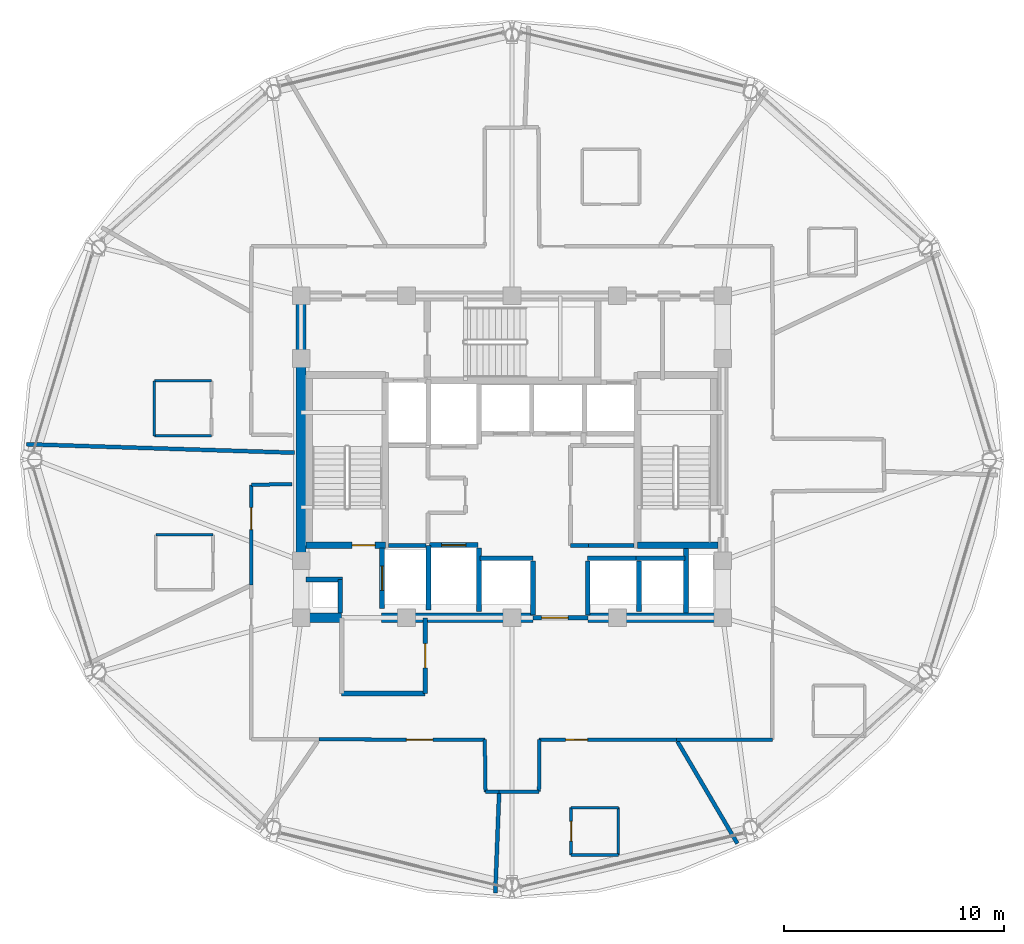
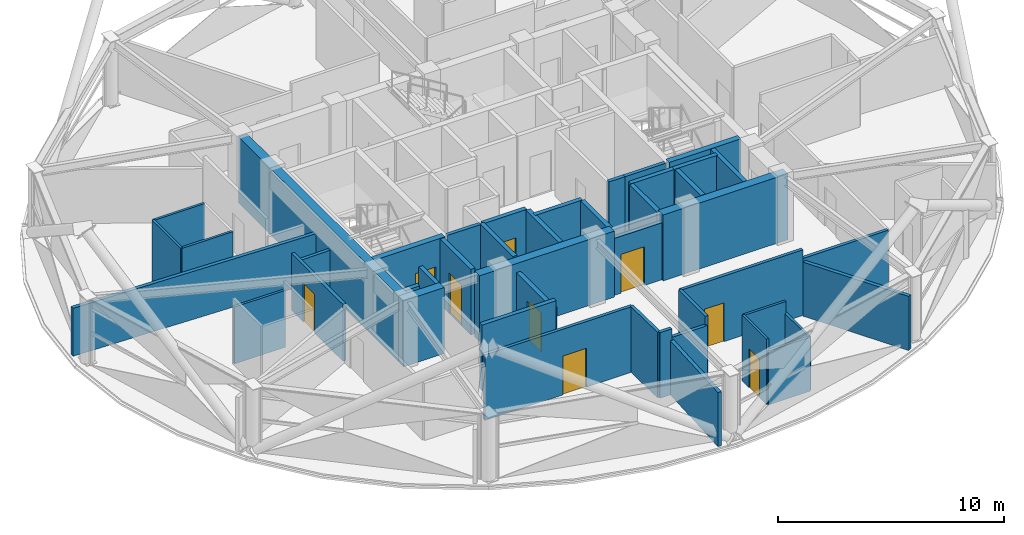
# One storey, part 22 of 29: 45 walls, 9 doors, 9 openings.
"""IFC4 building model written with IfcOpenShell, lengths in metres."""

from ifc_helpers import new_model, si_unit, direction, frame, frame_2d, origin, place, context, subcontext, project, spatial, rectangle, extrude, material, layer, layer_set, type_object, element, fill, save


model = new_model("IFC4")

# Units and contexts
model_context = context("Model", 3, precision=1e-05, world=origin(), true_north=direction((0.0, 1.0)))
body_context = subcontext(model_context, "Body", "Model", "MODEL_VIEW")
ifc_project = project(units=[si_unit("LENGTHUNIT", "METRE"), si_unit("AREAUNIT", "SQUARE_METRE"), si_unit("VOLUMEUNIT", "CUBIC_METRE"), si_unit("PLANEANGLEUNIT", "RADIAN"), si_unit("MASSUNIT", "GRAM", prefix="KILO")], contexts=[model_context])

# Site, building, storey
site_placement = place(None, origin())
site = spatial("IfcSite", under=ifc_project, at=site_placement, CompositionType="ELEMENT")
building_placement = place(site_placement, origin())
building = spatial("IfcBuilding", under=site, at=building_placement, Name="Vantalir Tower", CompositionType="ELEMENT")
storey_placement = place(building_placement, frame((0.0, 0.0, 234.89990234375)))
storey = spatial("IfcBuildingStorey", under=building, at=storey_placement, Name="L59", CompositionType="ELEMENT", Elevation=234.89990234375)

# Walls
ifc_material_1 = material(Name="Moisture-resistant en-suite partition", Category="gypsum")
ifc_layer_1 = layer(ifc_material_1, 0.125)
ifc_layer_set_1 = layer_set([ifc_layer_1], Name="Moisture-resistant en-suite partition")
wall_type_1 = type_object("IfcWallType", Name="WL-BATH-125", PredefinedType="PARTITIONING", material=ifc_layer_set_1)
for number, where, z_axis, x_axis, name in (
    (1, (15.218017578125, 26.0830078125, 0.0), (0.0, 0.0, 1.0), (1.0, 0.0, 0.0), "L59 En-suite 05 South Wall"),
    (2, (15.218017578125, 28.5830078125, 0.0), (0.0, 0.0, 1.0), (1.0, 0.0, 0.0), "L59 En-suite 05 North Wall"),
):
    element("IfcWall", number, at=place(storey_placement, frame(where, z_axis=z_axis, x_axis=x_axis)), inside=storey, type_object=wall_type_1, Name=name, PredefinedType="PARTITIONING", context=body_context, shape_type="SweptSolid", body=[
        extrude(rectangle(XDim=2.60009765625, YDim=0.125, at=frame_2d((1.300048828125, 0.0))), origin(), (0.0, 0.0, 1.0), 3.550048828125),
    ])
wall_1_placement = place(storey_placement, frame((15.218017578125, 26.0830078125, 0.0), z_axis=(0.0, 0.0, 1.0), x_axis=(0.0, 1.0, 0.0)))
element("IfcWall", 3, at=wall_1_placement, inside=storey, type_object=wall_type_1, Name="L59 En-suite 05 West Wall", PredefinedType="PARTITIONING", context=body_context, shape_type="SweptSolid", body=[
    extrude(rectangle(XDim=2.5, YDim=0.125, at=frame_2d((1.25, 0.0))), origin(), (0.0, 0.0, 1.0), 3.550048828125),
])
wall_2_placement = place(storey_placement, frame((15.2900390625, 21.577880859375, 0.0), z_axis=(0.0, 0.0, 1.0), x_axis=(1.0, 0.0, 0.0)))
element("IfcWall", 4, at=wall_2_placement, inside=storey, type_object=wall_type_1, Name="L59 En-suite 06 North Wall", PredefinedType="PARTITIONING", context=body_context, shape_type="SweptSolid", body=[
    extrude(rectangle(XDim=2.599853515625, YDim=0.125, at=frame_2d((1.2998046875, 0.0))), origin(), (0.0, 0.0, 1.0), 3.0810546875),
])
wall_3_placement = place(storey_placement, frame((34.18896484375, 7.008056640625, 0.0), z_axis=(0.0, 0.0, 1.0), x_axis=(1.0, 0.0, 0.0)))
element("IfcWall", 5, at=wall_3_placement, inside=storey, type_object=wall_type_1, Name="L59 En-suite 09 South Wall", PredefinedType="PARTITIONING", context=body_context, shape_type="SweptSolid", body=[
    extrude(rectangle(XDim=2.150146484375, YDim=0.125, at=frame_2d((1.0751953125, 0.0))), origin(), (0.0, 0.0, 1.0), 2.925048828125),
])
wall_4_placement = place(storey_placement, frame((34.18896484375, 9.157958984375, 0.0), z_axis=(0.0, 0.0, 1.0), x_axis=(1.0, 0.0, 0.0)))
element("IfcWall", 6, at=wall_4_placement, inside=storey, type_object=wall_type_1, Name="L59 En-suite 09 North Wall", PredefinedType="PARTITIONING", context=body_context, shape_type="SweptSolid", body=[
    extrude(rectangle(XDim=2.150146484375, YDim=0.125, at=frame_2d((1.0751953125, 0.0))), origin(), (0.0, 0.0, 1.0), 3.550048828125),
])

# Wall, opening, door
wall_5_placement = place(storey_placement, frame((34.18896484375, 7.008056640625, 0.0), z_axis=(0.0, 0.0, 1.0), x_axis=(0.0, 1.0, 0.0)))
wall_5 = element("IfcWall", 7, at=wall_5_placement, inside=storey, type_object=wall_type_1, Name="L59 En-suite 09 West Wall", PredefinedType="PARTITIONING", context=body_context, shape_type="SweptSolid", body=[
    extrude(rectangle(XDim=2.14990234375, YDim=0.125, at=frame_2d((1.074951171875, 0.0))), origin(), (0.0, 0.0, 1.0), 3.550048828125),
])
opening_1_placement = place(wall_5_placement, frame((0.625, 0.0, 0.0)))
opening_1 = element("IfcOpeningElement", 8, at=opening_1_placement, cuts=wall_5, Name="Opening D-WC", PredefinedType="OPENING", context=body_context, shape_type="SweptSolid", body=[
    extrude(rectangle(XDim=0.89990234375, YDim=2.10009765625, at=frame_2d((0.449951171875, 1.050048828125))), frame((0.0, 0.072509765625, 0.0), z_axis=(0.0, -1.0, 0.0), x_axis=(1.0, 0.0, 0.0)), (0.0, 0.0, 1.0), 0.14501953125),
])
ifc_material_2 = material(Name="Moisture-resistant hardwood door", Category="wood")
door_type_1 = type_object("IfcDoorType", Name="DR-ENSUITE-900", OperationType="NOTDEFINED", PredefinedType="DOOR", material=ifc_material_2)
door_1_placement = place(opening_1_placement, frame((0.89990234375, 0.0, 0.0), z_axis=(0.0, 0.0, 1.0), x_axis=(-1.0, 0.0, 0.0)))
door_1 = element("IfcDoor", 9, at=door_1_placement, inside=storey, type_object=door_type_1, Name="L59 En-suite 09 Door", OperationType="SINGLE_SWING_LEFT", OverallHeight=2.10009765625, OverallWidth=0.89990234375, PredefinedType="DOOR", context=body_context, shape_type="SweptSolid", body=[
    extrude(rectangle(XDim=0.89990234375, YDim=2.10009765625, at=frame_2d((0.449951171875, 1.050048828125))), frame((0.0, 0.02490234375, 0.0), z_axis=(0.0, -1.0, 0.0), x_axis=(1.0, 0.0, 0.0)), (0.0, 0.0, 1.0), 0.050048828125),
])
fill(opening_1, door_1)

# Walls
wall_6_placement = place(storey_placement, frame((36.339111328125, 7.008056640625, 0.0), z_axis=(0.0, 0.0, 1.0), x_axis=(0.0, 1.0, 0.0)))
element("IfcWall", 10, at=wall_6_placement, inside=storey, type_object=wall_type_1, Name="L59 En-suite 09 East Wall", PredefinedType="PARTITIONING", context=body_context, shape_type="SweptSolid", body=[
    extrude(rectangle(XDim=2.14990234375, YDim=0.125, at=frame_2d((1.074951171875, 0.0))), origin(), (0.0, 0.0, 1.0), 2.925048828125),
])
ifc_material_3 = material(Name="Concrete C50/60", Category="concrete")
ifc_layer_2 = layer(ifc_material_3, 0.449951171875)
ifc_layer_set_2 = layer_set([ifc_layer_2], Name="Concrete C50/60")
wall_type_2 = type_object("IfcWallType", Name="WL-CORE-450", PredefinedType="SHEAR", material=ifc_layer_set_2)
wall_7_placement = place(storey_placement, frame((21.675048828125, 17.800048828125, 0.0), z_axis=(0.0, 0.0, 1.0), x_axis=(1.0, 0.0, 0.0)))
element("IfcWall", 11, at=wall_7_placement, inside=storey, type_object=wall_type_2, Name="L59 Core Shear Wall South-West", PredefinedType="SHEAR", context=body_context, shape_type="SweptSolid", body=[
    extrude(rectangle(XDim=2.074951171875, YDim=0.449951171875, at=frame_2d((1.03759765625, 0.0))), origin(), (0.0, 0.0, 1.0), 3.570068359375),
])
wall_8_placement = place(storey_placement, frame((25.550048828125, 17.800048828125, 0.0), z_axis=(0.0, 0.0, 1.0), x_axis=(1.0, 0.0, 0.0)))
element("IfcWall", 12, at=wall_8_placement, inside=storey, type_object=wall_type_2, Name="L59 Core Shear Wall South-Mid", PredefinedType="SHEAR", context=body_context, shape_type="SweptSolid", body=[
    extrude(rectangle(XDim=6.89990234375, YDim=0.449951171875, at=frame_2d((3.449951171875, 0.0))), origin(), (0.0, 0.0, 1.0), 3.570068359375),
])
wall_9_placement = place(storey_placement, frame((34.949951171875, 17.800048828125, 0.0), z_axis=(0.0, 0.0, 1.0), x_axis=(1.0, 0.0, 0.0)))
element("IfcWall", 13, at=wall_9_placement, inside=storey, type_object=wall_type_2, Name="L59 Core Shear Wall South-East", PredefinedType="SHEAR", context=body_context, shape_type="SweptSolid", body=[
    extrude(rectangle(XDim=6.375, YDim=0.449951171875, at=frame_2d((3.1875, 0.0))), origin(), (0.0, 0.0, 1.0), 3.570068359375),
])
wall_10_placement = place(storey_placement, frame((21.89990234375, 18.02490234375, 0.0), z_axis=(0.0, 0.0, 1.0), x_axis=(0.0, 1.0, 0.0)))
element("IfcWall", 14, at=wall_10_placement, inside=storey, type_object=wall_type_2, Name="L59 Core Shear Wall West", PredefinedType="SHEAR", context=body_context, shape_type="SweptSolid", body=[
    extrude(rectangle(XDim=14.2001953125, YDim=0.449951171875, at=frame_2d((7.10009765625, 0.0))), origin(), (0.0, 0.0, 1.0), 3.570068359375),
])
ifc_material_4 = material(Name="Fire-rated hotel corridor acoustic partition", Category="gypsum")
ifc_layer_3 = layer(ifc_material_4, 0.159912109375)
ifc_layer_set_3 = layer_set([ifc_layer_3], Name="Fire-rated hotel corridor acoustic partition")
wall_type_3 = type_object("IfcWallType", Name="WL-CORR-160", PredefinedType="PARTITIONING", material=ifc_layer_set_3)
wall_11_placement = place(storey_placement, frame((43.35009765625, 12.259033203125, 0.0), z_axis=(0.0, 0.0, 1.0), x_axis=(-0.99999954841, -0.000950357353, 0.0)))
element("IfcWall", 15, at=wall_11_placement, inside=storey, type_object=wall_type_3, Name="L59 Corridor Partition 20", PredefinedType="PARTITIONING", context=body_context, shape_type="SweptSolid", body=[
    extrude(rectangle(XDim=4.3671875, YDim=0.159912109375, at=frame_2d((2.18359375, 0.0))), origin(), (0.0, 0.0, 1.0), 3.0810546875),
])

# Wall, opening, door
wall_12_placement = place(storey_placement, frame((38.98291015625, 12.2548828125, 0.0), z_axis=(0.0, 0.0, 1.0), x_axis=(-0.999999694132, -0.000782135774, 0.0)))
wall_12 = element("IfcWall", 16, at=wall_12_placement, inside=storey, type_object=wall_type_3, Name="L59 Corridor Partition 21", PredefinedType="PARTITIONING", context=body_context, shape_type="SweptSolid", body=[
    extrude(rectangle(XDim=6.242919921875, YDim=0.159912109375, at=frame_2d((3.12158203125, 0.0))), origin(), (0.0, 0.0, 1.0), 3.550048828125),
])
opening_2_placement = place(wall_12_placement, frame((4.0390625, 0.0, 0.0)))
opening_2 = element("IfcOpeningElement", 17, at=opening_2_placement, cuts=wall_12, Name="Opening D-GUEST", PredefinedType="OPENING", context=body_context, shape_type="SweptSolid", body=[
    extrude(rectangle(XDim=1.0, YDim=2.10009765625, at=frame_2d((0.5, 1.050048828125))), frame((0.0, 0.08984375, 0.0), z_axis=(0.0, -1.0, 0.0), x_axis=(1.0, 0.0, 0.0)), (0.0, 0.0, 1.0), 0.179931640625),
])
ifc_material_5 = material(Name="Solid-core teak veneer acoustic fire door", Category="wood")
door_type_2 = type_object("IfcDoorType", Name="DR-GUEST-ENTRY-1000", OperationType="NOTDEFINED", PredefinedType="DOOR", material=ifc_material_5)
door_2_placement = place(opening_2_placement, origin())
door_2 = element("IfcDoor", 18, at=door_2_placement, inside=storey, type_object=door_type_2, Name="L59 Twin Queen Hotel Room 09 Door", OperationType="SINGLE_SWING_LEFT", OverallHeight=2.10009765625, OverallWidth=1.0, PredefinedType="DOOR", context=body_context, shape_type="SweptSolid", body=[
    extrude(rectangle(XDim=1.0, YDim=2.10009765625, at=frame_2d((0.5, 1.050048828125))), frame((0.0, 0.02490234375, 0.0), z_axis=(0.0, -1.0, 0.0), x_axis=(1.0, 0.0, 0.0)), (0.0, 0.0, 1.0), 0.050048828125),
])
fill(opening_2, door_2)

# Walls
wall_13_placement = place(storey_placement, frame((32.739990234375, 12.25, 0.0), z_axis=(0.0, 0.0, 1.0), x_axis=(-0.005066629207, -0.999987164552, 0.0)))
element("IfcWall", 19, at=wall_13_placement, inside=storey, type_object=wall_type_3, Name="L59 Corridor Partition 22", PredefinedType="PARTITIONING", context=body_context, shape_type="SweptSolid", body=[
    extrude(rectangle(XDim=2.361083984375, YDim=0.159912109375, at=frame_2d((1.1806640625, 0.0))), origin(), (0.0, 0.0, 1.0), 3.550048828125),
])
wall_14_placement = place(storey_placement, frame((32.72802734375, 9.888916015625, 0.0), z_axis=(0.0, 0.0, 1.0), x_axis=(-0.999987560822, -0.004987805305, 0.0)))
element("IfcWall", 20, at=wall_14_placement, inside=storey, type_object=wall_type_3, Name="L59 Corridor Partition 23", PredefinedType="PARTITIONING", context=body_context, shape_type="SweptSolid", body=[
    extrude(rectangle(XDim=1.81103515625, YDim=0.159912109375, at=frame_2d((0.905517578125, 0.0))), origin(), (0.0, 0.0, 1.0), 3.0810546875),
])
wall_15_placement = place(storey_placement, frame((30.9169921875, 9.8798828125, 0.0), z_axis=(0.0, 0.0, 1.0), x_axis=(-0.99998887523, -0.004716928657, 0.0)))
element("IfcWall", 21, at=wall_15_placement, inside=storey, type_object=wall_type_3, Name="L59 Corridor Partition 24", PredefinedType="PARTITIONING", context=body_context, shape_type="SweptSolid", body=[
    extrude(rectangle(XDim=0.62109375, YDim=0.159912109375, at=frame_2d((0.310546875, 0.0))), origin(), (0.0, 0.0, 1.0), 3.550048828125),
])
wall_16_placement = place(storey_placement, frame((30.2958984375, 9.876953125, 0.0), z_axis=(0.0, 0.0, 1.0), x_axis=(-0.015121727576, 0.999885660141, 0.0)))
element("IfcWall", 22, at=wall_16_placement, inside=storey, type_object=wall_type_3, Name="L59 Corridor Partition 25", PredefinedType="PARTITIONING", context=body_context, shape_type="SweptSolid", body=[
    extrude(rectangle(XDim=2.373291015625, YDim=0.159912109375, at=frame_2d((1.1865234375, 0.0))), origin(), (0.0, 0.0, 1.0), 3.550048828125),
])

# Wall, opening, door
wall_17_placement = place(storey_placement, frame((30.260009765625, 12.25, 0.0), z_axis=(0.0, 0.0, 1.0), x_axis=(-0.999998053089, 0.001973276008, 0.0)))
wall_17 = element("IfcWall", 23, at=wall_17_placement, inside=storey, type_object=wall_type_3, Name="L59 Corridor Partition 26", PredefinedType="PARTITIONING", context=body_context, shape_type="SweptSolid", body=[
    extrude(rectangle(XDim=7.547119140625, YDim=0.159912109375, at=frame_2d((3.7734375, 0.0))), origin(), (0.0, 0.0, 1.0), 3.550048828125),
])
opening_3_placement = place(wall_17_placement, frame((2.364990234375, 0.0, 0.0)))
opening_3 = element("IfcOpeningElement", 24, at=opening_3_placement, cuts=wall_17, Name="Opening D-STE", PredefinedType="OPENING", context=body_context, shape_type="SweptSolid", body=[
    extrude(rectangle(XDim=1.199951171875, YDim=2.10009765625, at=frame_2d((0.60009765625, 1.050048828125))), frame((0.0, 0.08984375, 0.0), z_axis=(0.0, -1.0, 0.0), x_axis=(1.0, 0.0, 0.0)), (0.0, 0.0, 1.0), 0.179931640625),
])
ifc_material_6 = material(Name="Solid-core teak veneer suite entrance door", Category="wood")
door_type_3 = type_object("IfcDoorType", Name="DR-SUITE-ENTRY-1200", OperationType="NOTDEFINED", PredefinedType="DOOR", material=ifc_material_6)
door_3_placement = place(opening_3_placement, origin())
door_3 = element("IfcDoor", 25, at=door_3_placement, inside=storey, type_object=door_type_3, Name="L59 Executive Sky Boardroom 08 Door", OperationType="SINGLE_SWING_RIGHT", OverallHeight=2.10009765625, OverallWidth=1.199951171875, PredefinedType="DOOR", context=body_context, shape_type="SweptSolid", body=[
    extrude(rectangle(XDim=1.199951171875, YDim=2.10009765625, at=frame_2d((0.60009765625, 1.050048828125))), frame((0.0, 0.02490234375, 0.0), z_axis=(0.0, -1.0, 0.0), x_axis=(1.0, 0.0, 0.0)), (0.0, 0.0, 1.0), 0.050048828125),
])
fill(opening_3, door_3)

wall_18_placement = place(storey_placement, frame((19.636962890625, 19.2880859375, 0.0), z_axis=(0.0, 0.0, 1.0), x_axis=(-0.000427761698, 0.99999990851, 0.0)))
wall_18 = element("IfcWall", 26, at=wall_18_placement, inside=storey, type_object=wall_type_3, Name="L59 Corridor Partition 29", PredefinedType="PARTITIONING", context=body_context, shape_type="SweptSolid", body=[
    extrude(rectangle(XDim=4.56591796875, YDim=0.159912109375, at=frame_2d((2.282958984375, 0.0))), origin(), (0.0, 0.0, 1.0), 3.0810546875),
])
opening_4_placement = place(wall_18_placement, frame((2.52099609375, 0.0, 0.0)))
opening_4 = element("IfcOpeningElement", 27, at=opening_4_placement, cuts=wall_18, Name="Opening D-GUEST", PredefinedType="OPENING", context=body_context, shape_type="SweptSolid", body=[
    extrude(rectangle(XDim=1.0, YDim=2.10009765625, at=frame_2d((0.5, 1.050048828125))), frame((0.0, 0.08984375, 0.0), z_axis=(0.0, -1.0, 0.0), x_axis=(1.0, 0.0, 0.0)), (0.0, 0.0, 1.0), 0.179931640625),
])
door_4_placement = place(opening_4_placement, origin())
door_4 = element("IfcDoor", 28, at=door_4_placement, inside=storey, type_object=door_type_2, Name="L59 Deluxe King Hotel Room 06 Door", OperationType="SINGLE_SWING_RIGHT", OverallHeight=2.10009765625, OverallWidth=1.0, PredefinedType="DOOR", context=body_context, shape_type="SweptSolid", body=[
    extrude(rectangle(XDim=1.0, YDim=2.10009765625, at=frame_2d((0.5, 1.050048828125))), frame((0.0, 0.02490234375, 0.0), z_axis=(0.0, -1.0, 0.0), x_axis=(1.0, 0.0, 0.0)), (0.0, 0.0, 1.0), 0.050048828125),
])
fill(opening_4, door_4)

# Walls
wall_19_placement = place(storey_placement, frame((19.635009765625, 23.85400390625, 0.0), z_axis=(0.0, 0.0, 1.0), x_axis=(0.999886107392, 0.015092125259, 0.0)))
element("IfcWall", 29, at=wall_19_placement, inside=storey, type_object=wall_type_3, Name="L59 Corridor Partition 30", PredefinedType="PARTITIONING", context=body_context, shape_type="SweptSolid", body=[
    extrude(rectangle(XDim=1.8603515625, YDim=0.159912109375, at=frame_2d((0.93017578125, 0.0))), origin(), (0.0, 0.0, 1.0), 2.59521484375),
])
ifc_material_7 = material(Name="Concrete blockwork with fireboard lining", Category="masonry")
ifc_layer_4 = layer(ifc_material_7, 0.219970703125)
ifc_layer_set_4 = layer_set([ifc_layer_4], Name="Concrete blockwork with fireboard lining")
wall_type_4 = type_object("IfcWallType", Name="WL-FFL-220", PredefinedType="PARTITIONING", material=ifc_layer_set_4)
wall_20_placement = place(storey_placement, frame((30.0, 18.080078125, 0.0), z_axis=(0.0, 0.0, 1.0), x_axis=(0.0, 1.0, 0.0)))
element("IfcWall", 30, at=wall_20_placement, inside=storey, type_object=wall_type_4, Name="L59 Service Lift SV1 East Shaft Wall", PredefinedType="PARTITIONING", context=body_context, shape_type="SweptSolid", body=[
    extrude(rectangle(XDim=2.89990234375, YDim=0.219970703125, at=frame_2d((1.449951171875, 0.0))), origin(), (0.0, 0.0, 1.0), 3.545166015625),
])
for number, where, z_axis, x_axis, name in (
    (31, (32.449951171875, 17.919921875, 0.0), (0.0, 0.0, 1.0), (0.0, 1.0, 0.0), "L59 Shuttle Lift PL-X1 East Shaft Cheek"),
    (32, (34.949951171875, 17.919921875, 0.0), (0.0, 0.0, 1.0), (0.0, 1.0, 0.0), "L59 Shuttle Lift PL-X3 West Shaft Cheek"),
):
    element("IfcWall", number, at=place(storey_placement, frame(where, z_axis=z_axis, x_axis=x_axis)), inside=storey, type_object=wall_type_4, Name=name, PredefinedType="PARTITIONING", context=body_context, shape_type="SweptSolid", body=[
        extrude(rectangle(XDim=2.469970703125, YDim=0.219970703125, at=frame_2d((1.23486328125, 0.0))), origin(), (0.0, 0.0, 1.0), 3.545166015625),
    ])
wall_21_placement = place(storey_placement, frame((37.27490234375, 18.080078125, 0.0), z_axis=(0.0, 0.0, 1.0), x_axis=(0.0, 1.0, 0.0)))
element("IfcWall", 33, at=wall_21_placement, inside=storey, type_object=wall_type_4, Name="L59 Shuttle Lift PL-X2/X3 Shaft Divider", PredefinedType="PARTITIONING", context=body_context, shape_type="SweptSolid", body=[
    extrude(rectangle(XDim=2.309814453125, YDim=0.219970703125, at=frame_2d((1.15478515625, 0.0))), origin(), (0.0, 0.0, 1.0), 3.545166015625),
])

# Wall, opening, door
wall_22_placement = place(storey_placement, frame((32.449951171875, 17.800048828125, 0.0), z_axis=(0.0, 0.0, 1.0), x_axis=(1.0, 0.0, 0.0)))
wall_22 = element("IfcWall", 34, at=wall_22_placement, inside=storey, type_object=wall_type_4, Name="L59 Passenger Lift Lobby South Wall", PredefinedType="PARTITIONING", context=body_context, shape_type="SweptSolid", body=[
    extrude(rectangle(XDim=2.5, YDim=0.219970703125, at=frame_2d((1.25, 0.0))), origin(), (0.0, 0.0, 1.0), 3.0810546875),
])
opening_5_placement = place(wall_22_placement, frame((0.39990234375, 0.0, 0.0)))
opening_5 = element("IfcOpeningElement", 35, at=opening_5_placement, cuts=wall_22, Name="Opening D-STE", PredefinedType="OPENING", context=body_context, shape_type="SweptSolid", body=[
    extrude(rectangle(XDim=1.199951171875, YDim=2.10009765625, at=frame_2d((0.60009765625, 1.050048828125))), frame((0.0, 0.119873046875, 0.0), z_axis=(0.0, -1.0, 0.0), x_axis=(1.0, 0.0, 0.0)), (0.0, 0.0, 1.0), 0.239990234375),
])
door_5_placement = place(opening_5_placement, origin())
door_5 = element("IfcDoor", 36, at=door_5_placement, inside=storey, type_object=door_type_3, Name="L59 Passenger Lift Lobby Concourse Door", OperationType="SINGLE_SWING_RIGHT", OverallHeight=2.10009765625, OverallWidth=1.199951171875, PredefinedType="DOOR", context=body_context, shape_type="SweptSolid", body=[
    extrude(rectangle(XDim=1.199951171875, YDim=2.10009765625, at=frame_2d((0.60009765625, 1.050048828125))), frame((0.0, 0.02490234375, 0.0), z_axis=(0.0, -1.0, 0.0), x_axis=(1.0, 0.0, 0.0)), (0.0, 0.0, 1.0), 0.050048828125),
])
fill(opening_5, door_5)

# Walls
wall_23_placement = place(storey_placement, frame((23.679931640625, 18.02490234375, 0.0), z_axis=(0.0, 0.0, 1.0), x_axis=(0.0, 1.0, 0.0)))
element("IfcWall", 37, at=wall_23_placement, inside=storey, type_object=wall_type_4, Name="L59 West MEP Riser Wall E", PredefinedType="PARTITIONING", context=body_context, shape_type="SweptSolid", body=[
    extrude(rectangle(XDim=1.525146484375, YDim=0.219970703125, at=frame_2d((0.7626953125, 0.0))), origin(), (0.0, 0.0, 1.0), 3.550048828125),
])
wall_24_placement = place(storey_placement, frame((22.125, 19.550048828125, 0.0), z_axis=(0.0, 0.0, 1.0), x_axis=(1.0, 0.0, 0.0)))
element("IfcWall", 38, at=wall_24_placement, inside=storey, type_object=wall_type_4, Name="L59 West MEP Riser Wall N", PredefinedType="PARTITIONING", context=body_context, shape_type="SweptSolid", body=[
    extrude(rectangle(XDim=1.6650390625, YDim=0.219970703125, at=frame_2d((0.83251953125, 0.0))), origin(), (0.0, 0.0, 1.0), 2.59521484375),
])
wall_25_placement = place(storey_placement, frame((39.419921875, 18.02490234375, 0.0), z_axis=(0.0, 0.0, 1.0), x_axis=(0.0, 1.0, 0.0)))
element("IfcWall", 39, at=wall_25_placement, inside=storey, type_object=wall_type_4, Name="L59 East MEP Riser Wall W", PredefinedType="PARTITIONING", context=body_context, shape_type="SweptSolid", body=[
    extrude(rectangle(XDim=2.925048828125, YDim=0.219970703125, at=frame_2d((1.46240234375, 0.0))), origin(), (0.0, 0.0, 1.0), 3.550048828125),
])

# Wall, opening, door
wall_26_placement = place(storey_placement, frame((25.590087890625, 18.219970703125, 0.0), z_axis=(0.0, 0.0, 1.0), x_axis=(0.0, 1.0, 0.0)))
wall_26 = element("IfcWall", 40, at=wall_26_placement, inside=storey, type_object=wall_type_4, Name="L59 Lift FL1 Shaft Front Wall", PredefinedType="PARTITIONING", context=body_context, shape_type="SweptSolid", body=[
    extrude(rectangle(XDim=2.760009765625, YDim=0.219970703125, at=frame_2d((1.3798828125, 0.0))), origin(), (0.0, 0.0, 1.0), 3.550048828125),
])
opening_6_placement = place(wall_26_placement, frame((0.830078125, 0.0, 0.0)))
opening_6 = element("IfcOpeningElement", 41, at=opening_6_placement, cuts=wall_26, Name="Opening LD-FL1", PredefinedType="OPENING", context=body_context, shape_type="SweptSolid", body=[
    extrude(rectangle(XDim=1.10009765625, YDim=2.199951171875, at=frame_2d((0.550048828125, 1.10009765625))), frame((0.0, 0.119873046875, 0.0), z_axis=(0.0, -1.0, 0.0), x_axis=(1.0, 0.0, 0.0)), (0.0, 0.0, 1.0), 0.239990234375),
])
ifc_material_8 = material(Name="Brushed stainless-steel sliding lift landing door", Category="steel")
door_type_4 = type_object("IfcDoorType", Name="DR-LIFT-LANDING-1100", OperationType="DOUBLE_DOOR_SLIDING", PredefinedType="DOOR", material=ifc_material_8)
door_6_placement = place(opening_6_placement, origin())
door_6 = element("IfcDoor", 42, at=door_6_placement, inside=storey, type_object=door_type_4, Name="L59 Lift Landing Door FL1", OperationType="DOUBLE_DOOR_SLIDING", OverallHeight=2.199951171875, OverallWidth=1.10009765625, PredefinedType="DOOR", context=body_context, shape_type="SweptSolid", body=[
    extrude(rectangle(XDim=1.10009765625, YDim=2.199951171875, at=frame_2d((0.550048828125, 1.10009765625))), frame((0.0, 0.02490234375, 0.0), z_axis=(0.0, -1.0, 0.0), x_axis=(1.0, 0.0, 0.0)), (0.0, 0.0, 1.0), 0.050048828125),
])
fill(opening_6, door_6)

wall_27_placement = place(storey_placement, frame((27.739990234375, 21.110107421875, 0.0), z_axis=(0.0, 0.0, 1.0), x_axis=(1.0, 0.0, 0.0)))
wall_27 = element("IfcWall", 43, at=wall_27_placement, inside=storey, type_object=wall_type_4, Name="L59 Lift SV1 Shaft Front Wall", PredefinedType="PARTITIONING", context=body_context, shape_type="SweptSolid", body=[
    extrude(rectangle(XDim=2.219970703125, YDim=0.219970703125, at=frame_2d((1.10986328125, 0.0))), origin(), (0.0, 0.0, 1.0), 3.550048828125),
])
opening_7_placement = place(wall_27_placement, frame((0.56005859375, 0.0, 0.0)))
opening_7 = element("IfcOpeningElement", 44, at=opening_7_placement, cuts=wall_27, Name="Opening LD-SV1", PredefinedType="OPENING", context=body_context, shape_type="SweptSolid", body=[
    extrude(rectangle(XDim=1.10009765625, YDim=2.199951171875, at=frame_2d((0.550048828125, 1.10009765625))), frame((0.0, 0.119873046875, 0.0), z_axis=(0.0, -1.0, 0.0), x_axis=(1.0, 0.0, 0.0)), (0.0, 0.0, 1.0), 0.239990234375),
])
door_7_placement = place(opening_7_placement, origin())
door_7 = element("IfcDoor", 45, at=door_7_placement, inside=storey, type_object=door_type_4, Name="L59 Lift Landing Door SV1", OperationType="DOUBLE_DOOR_SLIDING", OverallHeight=2.199951171875, OverallWidth=1.10009765625, PredefinedType="DOOR", context=body_context, shape_type="SweptSolid", body=[
    extrude(rectangle(XDim=1.10009765625, YDim=2.199951171875, at=frame_2d((0.550048828125, 1.10009765625))), frame((0.0, 0.02490234375, 0.0), z_axis=(0.0, -1.0, 0.0), x_axis=(1.0, 0.0, 0.0)), (0.0, 0.0, 1.0), 0.050048828125),
])
fill(opening_7, door_7)

# Walls
wall_28_placement = place(storey_placement, frame((30.0400390625, 20.510009765625, 0.0), z_axis=(0.0, 0.0, 1.0), x_axis=(1.0, 0.0, 0.0)))
element("IfcWall", 46, at=wall_28_placement, inside=storey, type_object=wall_type_4, Name="L59 Lift PL-X1 Shaft Front Wall", PredefinedType="PARTITIONING", context=body_context, shape_type="SweptSolid", body=[
    extrude(rectangle(XDim=2.419921875, YDim=0.219970703125, at=frame_2d((1.2099609375, 0.0))), origin(), (0.0, 0.0, 1.0), 3.550048828125),
])
for number, where, z_axis, x_axis, name in (
    (47, (37.139892578125, 20.510009765625, 0.0), (0.0, 0.0, 1.0), (1.0, 0.0, 0.0), "L59 Lift PL-X2 Shaft Rear Wall"),
    (48, (34.93994140625, 20.510009765625, 0.0), (0.0, 0.0, 1.0), (1.0, 0.0, 0.0), "L59 Lift PL-X3 Shaft Front Wall"),
):
    element("IfcWall", number, at=place(storey_placement, frame(where, z_axis=z_axis, x_axis=x_axis)), inside=storey, type_object=wall_type_4, Name=name, PredefinedType="PARTITIONING", context=body_context, shape_type="SweptSolid", body=[
        extrude(rectangle(XDim=2.239990234375, YDim=0.219970703125, at=frame_2d((1.1201171875, 0.0))), origin(), (0.0, 0.0, 1.0), 3.550048828125),
    ])
wall_29_placement = place(storey_placement, frame((27.699951171875, 18.14990234375, 0.0), z_axis=(0.0, 0.0, 1.0), x_axis=(0.0, 1.0, 0.0)))
element("IfcWall", 49, at=wall_29_placement, inside=storey, type_object=wall_type_4, Name="L59 Fire Lift FL1 Dividing Wall", PredefinedType="PARTITIONING", context=body_context, shape_type="SweptSolid", body=[
    extrude(rectangle(XDim=2.9501953125, YDim=0.219970703125, at=frame_2d((1.47509765625, 0.0))), origin(), (0.0, 0.0, 1.0), 3.550048828125),
])
wall_30_placement = place(storey_placement, frame((23.75, 14.35009765625, 0.0), z_axis=(0.0, 0.0, 1.0), x_axis=(1.0, 0.0, 0.0)))
element("IfcWall", 50, at=wall_30_placement, inside=storey, type_object=wall_type_4, Name="L59 Firefighting Lobby West South Wall", PredefinedType="PARTITIONING", context=body_context, shape_type="SweptSolid", body=[
    extrude(rectangle(XDim=3.800048828125, YDim=0.219970703125, at=frame_2d((1.89990234375, 0.0))), origin(), (0.0, 0.0, 1.0), 3.550048828125),
])

# Wall, opening, door
wall_31_placement = place(storey_placement, frame((27.550048828125, 14.35009765625, 0.0), z_axis=(0.0, 0.0, 1.0), x_axis=(0.0, 1.0, 0.0)))
wall_31 = element("IfcWall", 51, at=wall_31_placement, inside=storey, type_object=wall_type_4, Name="L59 Firefighting Lobby West East Wall", PredefinedType="PARTITIONING", context=body_context, shape_type="SweptSolid", body=[
    extrude(rectangle(XDim=3.449951171875, YDim=0.219970703125, at=frame_2d((1.72509765625, 0.0))), origin(), (0.0, 0.0, 1.0), 3.0810546875),
])
opening_8_placement = place(wall_31_placement, frame((1.175048828125, 0.0, 0.0)))
opening_8 = element("IfcOpeningElement", 52, at=opening_8_placement, cuts=wall_31, Name="Opening D-FFL", PredefinedType="OPENING", context=body_context, shape_type="SweptSolid", body=[
    extrude(rectangle(XDim=1.10009765625, YDim=2.10009765625, at=frame_2d((0.550048828125, 1.050048828125))), frame((0.0, 0.119873046875, 0.0), z_axis=(0.0, -1.0, 0.0), x_axis=(1.0, 0.0, 0.0)), (0.0, 0.0, 1.0), 0.239990234375),
])
ifc_material_9 = material(Name="Fire-rated acoustic steel door", Category="steel")
door_type_5 = type_object("IfcDoorType", Name="DR-FIRE-LOBBY-1100", OperationType="NOTDEFINED", PredefinedType="DOOR", material=ifc_material_9)
door_8_placement = place(opening_8_placement, origin())
door_8 = element("IfcDoor", 53, at=door_8_placement, inside=storey, type_object=door_type_5, Name="L59 Firefighting Lobby West Access Door", OperationType="SINGLE_SWING_RIGHT", OverallHeight=2.10009765625, OverallWidth=1.10009765625, PredefinedType="DOOR", context=body_context, shape_type="SweptSolid", body=[
    extrude(rectangle(XDim=1.10009765625, YDim=2.10009765625, at=frame_2d((0.550048828125, 1.050048828125))), frame((0.0, 0.02490234375, 0.0), z_axis=(0.0, -1.0, 0.0), x_axis=(1.0, 0.0, 0.0)), (0.0, 0.0, 1.0), 0.050048828125),
])
fill(opening_8, door_8)

# Walls
ifc_material_10 = material(Name="Twin-stud acoustic fire-rated gypsum partition", Category="gypsum")
ifc_layer_5 = layer(ifc_material_10, 0.179931640625)
ifc_layer_set_5 = layer_set([ifc_layer_5], Name="Twin-stud acoustic fire-rated gypsum partition")
wall_type_5 = type_object("IfcWallType", Name="WL-GUEST-180", PredefinedType="PARTITIONING", material=ifc_layer_set_5)
wall_32_placement = place(storey_placement, frame((25.889892578125, 21.10009765625, 0.0), z_axis=(0.0, 0.0, 1.0), x_axis=(1.0, 0.0, 0.0)))
element("IfcWall", 54, at=wall_32_placement, inside=storey, type_object=wall_type_5, Name="L59 Freed West Core South Wall", PredefinedType="PARTITIONING", context=body_context, shape_type="SweptSolid", body=[
    extrude(rectangle(XDim=1.7001953125, YDim=0.179931640625, at=frame_2d((0.85009765625, 0.0))), origin(), (0.0, 0.0, 1.0), 3.550048828125),
])
wall_33_placement = place(storey_placement, frame((34.97998046875, 21.10009765625, 0.0), z_axis=(0.0, 0.0, 1.0), x_axis=(1.0, 0.0, 0.0)))
element("IfcWall", 55, at=wall_33_placement, inside=storey, type_object=wall_type_5, Name="L59 Freed East Core South Wall", PredefinedType="PARTITIONING", context=body_context, shape_type="SweptSolid", body=[
    extrude(rectangle(XDim=2.080078125, YDim=0.179931640625, at=frame_2d((1.0400390625, 0.0))), origin(), (0.0, 0.0, 1.0), 3.550048828125),
])
wall_34_placement = place(storey_placement, frame((34.159912109375, 21.10009765625, 0.0), z_axis=(0.0, 0.0, 1.0), x_axis=(1.0, 0.0, 0.0)))
element("IfcWall", 56, at=wall_34_placement, inside=storey, type_object=wall_type_5, Name="L59 East IT Room South Return", PredefinedType="PARTITIONING", context=body_context, shape_type="SweptSolid", body=[
    extrude(rectangle(XDim=0.820068359375, YDim=0.179931640625, at=frame_2d((0.41015625, 0.0))), origin(), (0.0, 0.0, 1.0), 3.550048828125),
])
wall_35_placement = place(storey_placement, frame((21.60009765625, 25.31298828125, 0.0), z_axis=(0.0, 0.0, 1.0), x_axis=(-0.999499822814, 0.031624424029, 0.0)))
element("IfcWall", 57, at=wall_35_placement, inside=storey, type_object=wall_type_5, Name="L59 Radial Suite Partition 06", PredefinedType="PARTITIONING", context=body_context, shape_type="SweptSolid", body=[
    extrude(rectangle(XDim=12.205322265625, YDim=0.179931640625, at=frame_2d((6.1025390625, 0.0))), origin(), (0.0, 0.0, 1.0), 2.59521484375),
])
wall_36_placement = place(storey_placement, frame((30.9140625, 9.802001953125, 0.0), z_axis=(0.0, 0.0, 1.0), x_axis=(-0.038656743146, -0.999252548763, 0.0)))
element("IfcWall", 58, at=wall_36_placement, inside=storey, type_object=wall_type_5, Name="L59 Radial Suite Partition 09", PredefinedType="PARTITIONING", context=body_context, shape_type="SweptSolid", body=[
    extrude(rectangle(XDim=4.5283203125, YDim=0.179931640625, at=frame_2d((2.26416015625, 0.0))), origin(), (0.0, 0.0, 1.0), 2.925048828125),
])
wall_37_placement = place(storey_placement, frame((39.030029296875, 12.175048828125, 0.0), z_axis=(0.0, 0.0, 1.0), x_axis=(0.506355048259, -0.86232509247, 0.0)))
element("IfcWall", 59, at=wall_37_placement, inside=storey, type_object=wall_type_5, Name="L59 Radial Suite Partition 10", PredefinedType="PARTITIONING", context=body_context, shape_type="SweptSolid", body=[
    extrude(rectangle(XDim=5.391357421875, YDim=0.179931640625, at=frame_2d((2.69580078125, 0.0))), origin(), (0.0, 0.0, 1.0), 2.925048828125),
])

# Wall, opening, door
ifc_layer_6 = layer(ifc_material_3, 0.300048828125)
ifc_layer_set_6 = layer_set([ifc_layer_6], Name="Concrete C50/60")
wall_type_6 = type_object("IfcWallType", Name="WL-STAIR-300", PredefinedType="SHEAR", material=ifc_layer_set_6)
wall_38_placement = place(storey_placement, frame((22.125, 21.10009765625, 0.0), z_axis=(0.0, 0.0, 1.0), x_axis=(1.0, 0.0, 0.0)))
wall_38 = element("IfcWall", 60, at=wall_38_placement, inside=storey, type_object=wall_type_6, Name="L59 Stair ST1 South Wall", PredefinedType="SHEAR", context=body_context, shape_type="SweptSolid", body=[
    extrude(rectangle(XDim=3.614990234375, YDim=0.300048828125, at=frame_2d((1.8076171875, 0.0))), origin(), (0.0, 0.0, 1.0), 3.570068359375),
])
opening_9_placement = place(wall_38_placement, frame((2.094970703125, 0.0, 0.0)))
opening_9 = element("IfcOpeningElement", 61, at=opening_9_placement, cuts=wall_38, Name="Opening D-ST", PredefinedType="OPENING", context=body_context, shape_type="SweptSolid", body=[
    extrude(rectangle(XDim=1.050048828125, YDim=2.10009765625, at=frame_2d((0.52490234375, 1.050048828125))), frame((0.0, 0.159912109375, 0.0), z_axis=(0.0, -1.0, 0.0), x_axis=(1.0, 0.0, 0.0)), (0.0, 0.0, 1.0), 0.320068359375),
])
ifc_material_11 = material(Name="Fire-rated steel door leaf", Category="steel")
door_type_6 = type_object("IfcDoorType", Name="DR-FIRE-STAIR-1050", OperationType="NOTDEFINED", PredefinedType="DOOR", material=ifc_material_11)
door_9_placement = place(opening_9_placement, origin())
door_9 = element("IfcDoor", 62, at=door_9_placement, inside=storey, type_object=door_type_6, Name="L59 Exit Stair ST1 Fire Door", OperationType="SINGLE_SWING_RIGHT", OverallHeight=2.10009765625, OverallWidth=1.050048828125, PredefinedType="DOOR", context=body_context, shape_type="SweptSolid", body=[
    extrude(rectangle(XDim=1.050048828125, YDim=2.10009765625, at=frame_2d((0.52490234375, 1.050048828125))), frame((0.0, 0.02490234375, 0.0), z_axis=(0.0, -1.0, 0.0), x_axis=(1.0, 0.0, 0.0)), (0.0, 0.0, 1.0), 0.050048828125),
])
fill(opening_9, door_9)

# Wall
wall_39_placement = place(storey_placement, frame((37.2099609375, 21.10009765625, 0.0), z_axis=(0.0, 0.0, 1.0), x_axis=(1.0, 0.0, 0.0)))
element("IfcWall", 63, at=wall_39_placement, inside=storey, type_object=wall_type_6, Name="L59 Stair ST2 South Wall", PredefinedType="SHEAR", context=body_context, shape_type="SweptSolid", body=[
    extrude(rectangle(XDim=3.6650390625, YDim=0.300048828125, at=frame_2d((1.83251953125, 0.0))), origin(), (0.0, 0.0, 1.0), 3.570068359375),
])

save(model, "model.ifc")
